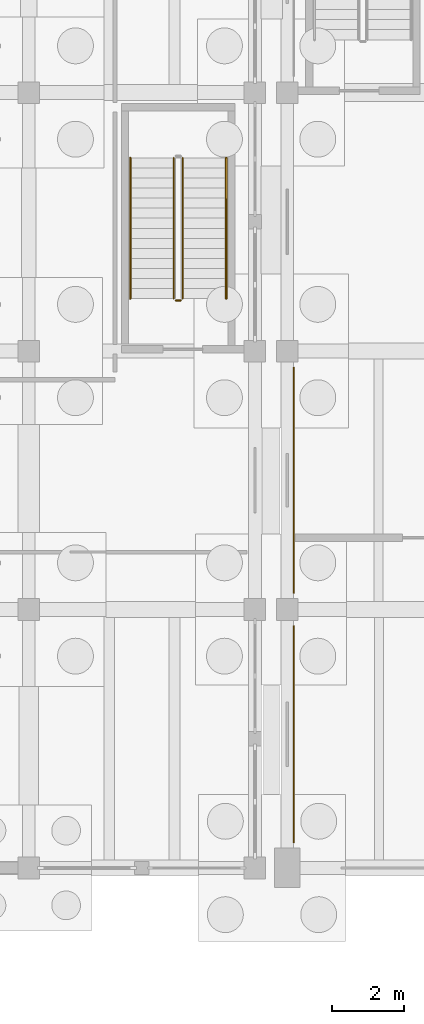
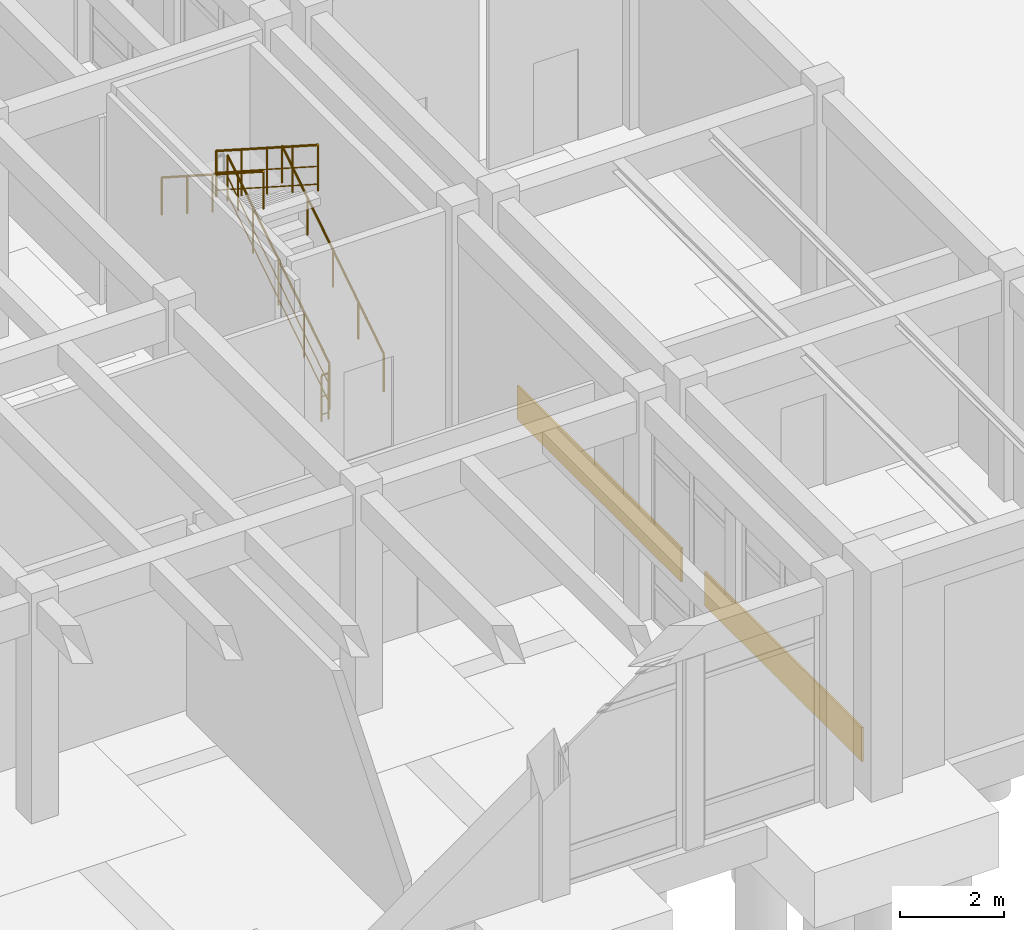
# One storey, part 85 of 93: 5 railings, 2 coverings.
"""IFC4 building model written with IfcOpenShell, lengths in metres."""

from ifc_helpers import new_model, si_unit, direction, frame, origin, origin_2d, place, context, subcontext, project, spatial, rectangle, circle, extrude, material, layer, layer_set, type_object, element, save


model = new_model("IFC4")

# Units and contexts
model_context = context("Model", 3, precision=1e-05, world=origin(), true_north=direction((0.0, 1.0)))
body_context = subcontext(model_context, "Body", "Model", "MODEL_VIEW")
ifc_project = project(units=[si_unit("LENGTHUNIT", "METRE"), si_unit("AREAUNIT", "SQUARE_METRE"), si_unit("VOLUMEUNIT", "CUBIC_METRE"), si_unit("PLANEANGLEUNIT", "RADIAN"), si_unit("MASSUNIT", "GRAM", prefix="KILO")], contexts=[model_context])

# Site, building, storey
site_placement = place(None, origin())
site = spatial("IfcSite", under=ifc_project, at=site_placement, CompositionType="ELEMENT")
building_placement = place(site_placement, origin())
building = spatial("IfcBuilding", under=site, at=building_placement, Name="Koriwan Promenade Central Fire Station", CompositionType="ELEMENT")
storey_placement = place(building_placement, origin())
storey = spatial("IfcBuildingStorey", under=building, at=storey_placement, Name="L00", CompositionType="ELEMENT", Elevation=0.0)

# Railings
ifc_material_1 = material(Name="Steel ASTM A500 Grade C", Category="steel")
ifc_layer_1 = layer(ifc_material_1, 0.050048828125, Name="Steel ASTM A500 Grade C")
ifc_layer_set_1 = layer_set([ifc_layer_1], Name="Steel ASTM A500 Grade C")
railing_type_1 = type_object("IfcRailingType", Name="StairGuard_1100", PredefinedType="BALUSTRADE", material=ifc_layer_set_1)
railing_1_placement = place(storey_placement, frame((54.68994140625, 59.06005859375, 0.179931640625)))
element("IfcRailing", 1, at=railing_1_placement, inside=storey, type_object=railing_type_1, Name="L00 ST20 stair guard 1", PredefinedType="BALUSTRADE", context=body_context, shape_type="SweptSolid", body=[
    extrude(circle(Radius=0.02392578125, at=origin_2d()), frame((0.0, 0.0, 1.076171875), z_axis=(0.0, 0.841171666519, 0.540768182723), x_axis=(-1.0, 0.0, 0.0)), (0.0, 0.0, 1.0), 4.66015625),
    extrude(circle(Radius=0.012939453125, at=origin_2d()), frame((0.0, 0.0, 0.572021484375), z_axis=(0.0, 0.841171666519, 0.540768182723), x_axis=(-1.0, 0.0, 0.0)), (0.0, 0.0, 1.0), 4.66015625),
    extrude(circle(Radius=0.012939453125, at=origin_2d()), frame((0.0, 0.0, 0.154052734375), z_axis=(0.0, 0.841171666519, 0.540768182723), x_axis=(-1.0, 0.0, 0.0)), (0.0, 0.0, 1.0), 4.66015625),
    extrude(circle(Radius=0.02099609375, at=origin_2d()), origin(), (0.0, 0.0, 1.0), 1.052001953125),
    extrude(circle(Radius=0.02099609375, at=origin_2d()), frame((0.0, 0.97998046875, 0.6298828125)), (0.0, 0.0, 1.0), 1.052001953125),
    extrude(circle(Radius=0.02099609375, at=origin_2d()), frame((0.0, 1.9599609375, 1.260009765625)), (0.0, 0.0, 1.0), 1.052001953125),
    extrude(circle(Radius=0.02099609375, at=origin_2d()), frame((0.0, 2.93994140625, 1.89013671875)), (0.0, 0.0, 1.0), 1.052001953125),
    extrude(circle(Radius=0.02099609375, at=origin_2d()), frame((0.0, 3.919921875, 2.52001953125)), (0.0, 0.0, 1.0), 1.052001953125),
])
railing_2_placement = place(storey_placement, frame((54.43994140625, 62.97998046875, 2.8798828125)))
element("IfcRailing", 2, at=railing_2_placement, inside=storey, type_object=railing_type_1, Name="L00 ST20 stair guard 3", PredefinedType="BALUSTRADE", context=body_context, shape_type="SweptSolid", body=[
    extrude(circle(Radius=0.02392578125, at=origin_2d()), frame((0.0, 0.0, 1.076171875), z_axis=(0.0, -0.841171666519, 0.540768182723), x_axis=(1.0, 0.0, 0.0)), (0.0, 0.0, 1.0), 4.66015625),
    extrude(circle(Radius=0.012939453125, at=origin_2d()), frame((0.0, 0.0, 0.572021484375), z_axis=(0.0, -0.841171666519, 0.540768182723), x_axis=(1.0, 0.0, 0.0)), (0.0, 0.0, 1.0), 4.66015625),
    extrude(circle(Radius=0.012939453125, at=origin_2d()), frame((0.0, 0.0, 0.154052734375), z_axis=(0.0, -0.841171666519, 0.540768182723), x_axis=(1.0, 0.0, 0.0)), (0.0, 0.0, 1.0), 4.66015625),
    extrude(circle(Radius=0.02099609375, at=origin_2d()), origin(), (0.0, 0.0, 1.0), 1.052001953125),
    extrude(circle(Radius=0.02099609375, at=origin_2d()), frame((0.0, -0.97998046875, 0.6298828125)), (0.0, 0.0, 1.0), 1.052001953125),
    extrude(circle(Radius=0.02099609375, at=origin_2d()), frame((0.0, -1.9599609375, 1.260009765625)), (0.0, 0.0, 1.0), 1.052001953125),
    extrude(circle(Radius=0.02099609375, at=origin_2d()), frame((0.0, -2.93994140625, 1.89013671875)), (0.0, 0.0, 1.0), 1.052001953125),
    extrude(circle(Radius=0.02099609375, at=origin_2d()), frame((0.0, -3.919921875, 2.52001953125)), (0.0, 0.0, 1.0), 1.052001953125),
])
railing_3_placement = place(storey_placement, frame((54.639892578125, 59.010009765625, 0.0)))
element("IfcRailing", 3, at=railing_3_placement, inside=storey, type_object=railing_type_1, Name="L00 ST20 stair guard 4", PredefinedType="BALUSTRADE", context=body_context, shape_type="SweptSolid", body=[
    extrude(circle(Radius=0.02392578125, at=origin_2d()), frame((0.0, 0.0, 1.076171875), z_axis=(-1.0, 0.0, 0.0), x_axis=(0.0, -1.0, 0.0)), (0.0, 0.0, 1.0), 0.14990234375),
    extrude(circle(Radius=0.012939453125, at=origin_2d()), frame((0.0, 0.0, 0.572021484375), z_axis=(-1.0, 0.0, 0.0), x_axis=(0.0, -1.0, 0.0)), (0.0, 0.0, 1.0), 0.14990234375),
    extrude(circle(Radius=0.012939453125, at=origin_2d()), frame((0.0, 0.0, 0.154052734375), z_axis=(-1.0, 0.0, 0.0), x_axis=(0.0, -1.0, 0.0)), (0.0, 0.0, 1.0), 0.14990234375),
    extrude(circle(Radius=0.02099609375, at=origin_2d()), origin(), (0.0, 0.0, 1.0), 1.052001953125),
    extrude(circle(Radius=0.02099609375, at=origin_2d()), frame((-0.14990234375, 0.0, 0.0)), (0.0, 0.0, 1.0), 1.052001953125),
])
ifc_material_2 = material(Name="Stainless steel 316 tubular handrail", Category="steel")
ifc_layer_2 = layer(ifc_material_2, 0.048095703125, Name="Stainless steel 316 tubular handrail")
ifc_layer_set_2 = layer_set([ifc_layer_2], Name="Stainless steel 316 tubular handrail")
railing_type_2 = type_object("IfcRailingType", Name="StairHandrail_900", PredefinedType="HANDRAIL", material=ifc_layer_set_2)
railing_4_placement = place(storey_placement, frame((55.89990234375, 59.06005859375, 0.179931640625)))
element("IfcRailing", 4, at=railing_4_placement, inside=storey, type_object=railing_type_2, Name="L00 ST20 stair handrail 1", PredefinedType="HANDRAIL", context=body_context, shape_type="SweptSolid", body=[
    extrude(circle(Radius=0.02392578125, at=origin_2d()), frame((0.0, 0.0, 0.8759765625), z_axis=(0.0, 0.841171666519, 0.540768182723), x_axis=(-1.0, 0.0, 0.0)), (0.0, 0.0, 1.0), 4.66015625),
    extrude(circle(Radius=0.02099609375, at=origin_2d()), origin(), (0.0, 0.0, 1.0), 0.851806640625),
    extrude(circle(Radius=0.02099609375, at=origin_2d()), frame((0.0, 0.97998046875, 0.6298828125)), (0.0, 0.0, 1.0), 0.851806640625),
    extrude(circle(Radius=0.02099609375, at=origin_2d()), frame((0.0, 1.9599609375, 1.260009765625)), (0.0, 0.0, 1.0), 0.851806640625),
    extrude(circle(Radius=0.02099609375, at=origin_2d()), frame((0.0, 2.93994140625, 1.89013671875)), (0.0, 0.0, 1.0), 0.851806640625),
    extrude(circle(Radius=0.02099609375, at=origin_2d()), frame((0.0, 3.919921875, 2.52001953125)), (0.0, 0.0, 1.0), 0.851806640625),
])
railing_5_placement = place(storey_placement, frame((53.22998046875, 62.97998046875, 2.8798828125)))
element("IfcRailing", 5, at=railing_5_placement, inside=storey, type_object=railing_type_2, Name="L00 ST20 stair handrail 2", PredefinedType="HANDRAIL", context=body_context, shape_type="SweptSolid", body=[
    extrude(circle(Radius=0.02392578125, at=origin_2d()), frame((0.0, 0.0, 0.8759765625), z_axis=(0.0, -0.841171666519, 0.540768182723), x_axis=(1.0, 0.0, 0.0)), (0.0, 0.0, 1.0), 4.66015625),
    extrude(circle(Radius=0.02099609375, at=origin_2d()), origin(), (0.0, 0.0, 1.0), 0.851806640625),
    extrude(circle(Radius=0.02099609375, at=origin_2d()), frame((0.0, -0.97998046875, 0.6298828125)), (0.0, 0.0, 1.0), 0.851806640625),
    extrude(circle(Radius=0.02099609375, at=origin_2d()), frame((0.0, -1.9599609375, 1.260009765625)), (0.0, 0.0, 1.0), 0.851806640625),
    extrude(circle(Radius=0.02099609375, at=origin_2d()), frame((0.0, -2.93994140625, 1.89013671875)), (0.0, 0.0, 1.0), 0.851806640625),
    extrude(circle(Radius=0.02099609375, at=origin_2d()), frame((0.0, -3.919921875, 2.52001953125)), (0.0, 0.0, 1.0), 0.851806640625),
])

# Coverings
ifc_material_3 = material(Name="Natural sillar sandstone ashlar", Category="masonry")
ifc_layer_3 = layer(ifc_material_3, 0.0400390625, Name="Natural sillar sandstone ashlar")
ifc_layer_set_3 = layer_set([ifc_layer_3], Name="Natural sillar sandstone ashlar")
covering_type = type_object("IfcCoveringType", Name="WallCladding_Sillar", PredefinedType="CLADDING", material=ifc_layer_set_3)
covering_1_placement = place(storey_placement, frame((57.780029296875, 54.0, 0.02001953125), z_axis=(0.0, 0.0, 1.0), x_axis=(0.0, -1.0, 0.0)))
element("IfcCovering", 6, at=covering_1_placement, inside=storey, type_object=covering_type, Name="L00 sillar plinth cladding 006", PredefinedType="CLADDING", context=body_context, shape_type="SweptSolid", body=[
    extrude(rectangle(XDim=6.300048828125, YDim=0.0400390625, at=origin_2d()), origin(), (0.0, 0.0, 1.0), 0.800048828125),
])
covering_2_placement = place(storey_placement, frame((57.780029296875, 46.925048828125, 0.02001953125), z_axis=(0.0, 0.0, 1.0), x_axis=(0.0, -1.0, 0.0)))
element("IfcCovering", 7, at=covering_2_placement, inside=storey, type_object=covering_type, Name="L00 sillar plinth cladding 007", PredefinedType="CLADDING", context=body_context, shape_type="SweptSolid", body=[
    extrude(rectangle(XDim=6.050048828125, YDim=0.0400390625, at=origin_2d()), origin(), (0.0, 0.0, 1.0), 0.800048828125),
])

save(model, "model.ifc")
